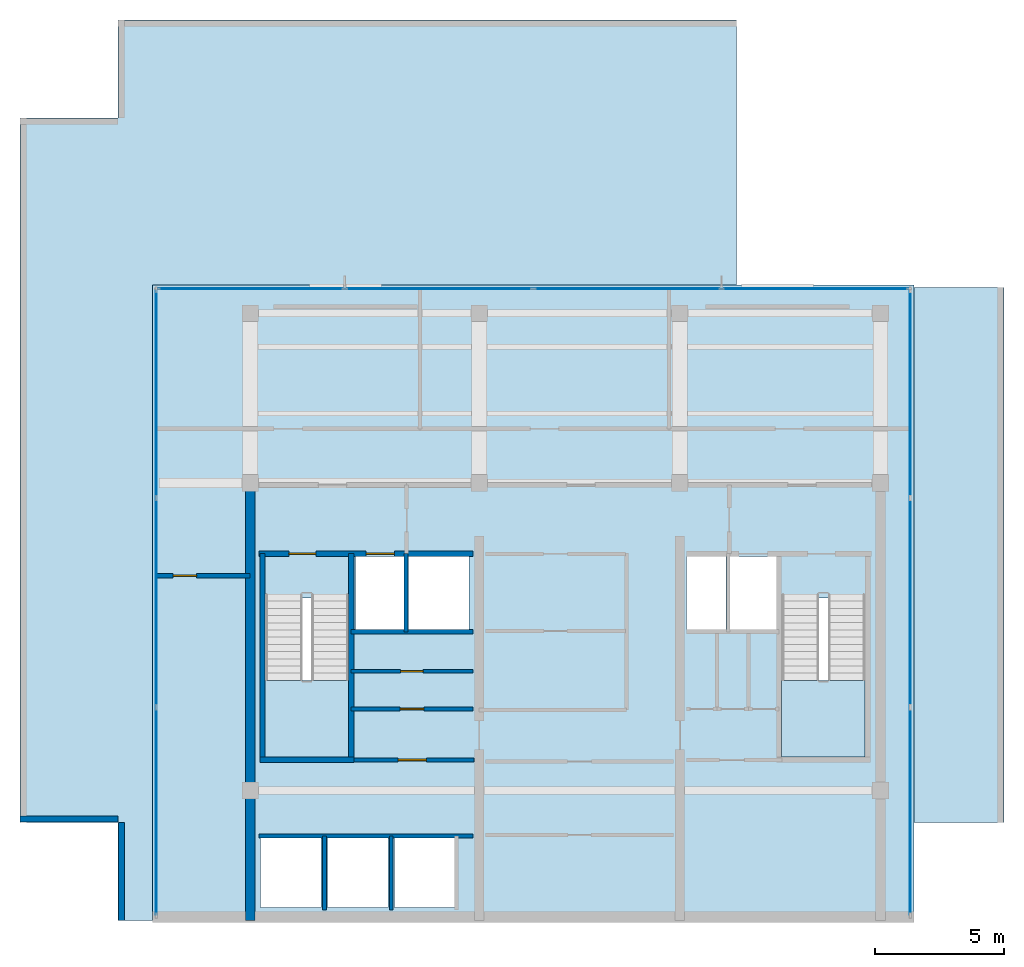
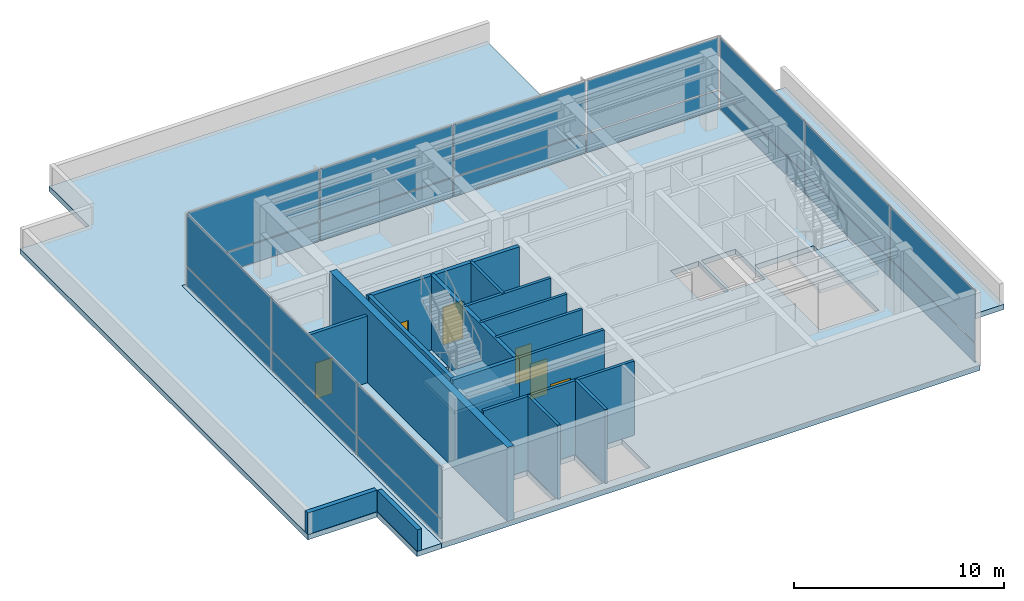
# One storey, part 2 of 6: 20 plates, 16 walls, 6 doors, 5 slabs, 6 openings, 5 elements without a shape of their own.
"""IFC4 building model written with IfcOpenShell, lengths in metres."""

from ifc_helpers import new_model, si_unit, direction, frame, frame_2d, origin, origin_2d, place, context, subcontext, project, spatial, polyline, rectangle, outline, extrude, material, layer, layer_set, type_object, element, fill, aggregate, save


model = new_model("IFC4")

# Units and contexts
model_context = context("Model", 3, precision=1e-05, world=origin(), true_north=direction((0.0, 1.0)))
body_context = subcontext(model_context, "Body", "Model", "MODEL_VIEW")
ifc_project = project(units=[si_unit("LENGTHUNIT", "METRE"), si_unit("AREAUNIT", "SQUARE_METRE"), si_unit("VOLUMEUNIT", "CUBIC_METRE"), si_unit("PLANEANGLEUNIT", "RADIAN"), si_unit("MASSUNIT", "GRAM", prefix="KILO")], contexts=[model_context])

# Site, building, storey
site_placement = place(None, origin())
site = spatial("IfcSite", under=ifc_project, at=site_placement, CompositionType="ELEMENT")
building_placement = place(site_placement, origin())
building = spatial("IfcBuilding", under=site, at=building_placement, Name="Qalmaran Belvedere Hotel", CompositionType="ELEMENT")
storey_placement = place(building_placement, frame((0.0, 0.0, 298.699951171875)))
storey = spatial("IfcBuildingStorey", under=building, at=storey_placement, Name="C01", CompositionType="ELEMENT", Elevation=298.699951171875)

# Curtain wall, plates
ifc_material_1 = material(Name="Anodised Bronze Aluminium", Category="aluminium")
ifc_layer_1 = layer(ifc_material_1, 0.205078125, Name="Anodised Bronze Aluminium")
ifc_layer_set_1 = layer_set([ifc_layer_1], Name="Anodised Bronze Aluminium")
curtain_wall_type = type_object("IfcCurtainWallType", Name="CW7-CROWN-BELVEDERE", PredefinedType="NOTDEFINED", material=ifc_layer_set_1)
curtain_wall_1_placement = place(storey_placement, origin())
curtain_wall_1 = element("IfcCurtainWall", 1, at=curtain_wall_1_placement, inside=storey, type_object=curtain_wall_type, Name="C01 Curtain Wall CW7", PredefinedType="NOTDEFINED")
ifc_material_2 = material(Name="Anodised Bronze Spandrel Panel")
ifc_layer_2 = layer(ifc_material_2, 0.035888671875, Name="Anodised Bronze Spandrel Panel")
ifc_layer_set_2 = layer_set([ifc_layer_2], Name="Anodised Bronze Spandrel Panel")
plate_type_1 = type_object("IfcPlateType", Name="CWP-SPANDREL-36", PredefinedType="CURTAIN_PANEL", material=ifc_layer_set_2)
plate_1_placement = place(storey_placement, frame((42.268798828125, 28.050048828125, 0.070068359375), z_axis=(0.0, 0.0, 1.0), x_axis=(-1.0, 0.0, 0.0)))
plate_1 = element("IfcPlate", 2, at=plate_1_placement, type_object=plate_type_1, Name="CW7 panel 1.1", PredefinedType="CURTAIN_PANEL", context=body_context, shape_type="SweptSolid", body=[
    extrude(rectangle(XDim=7.21240234375, YDim=0.035888671875, at=origin_2d()), origin(), (0.0, 0.0, 1.0), 1.09912109375),
])
plate_2_placement = place(storey_placement, frame((34.96240234375, 28.050048828125, 0.070068359375), z_axis=(0.0, 0.0, 1.0), x_axis=(-1.0, 0.0, 0.0)))
plate_2 = element("IfcPlate", 3, at=plate_2_placement, type_object=plate_type_1, Name="CW7 panel 2.1", PredefinedType="CURTAIN_PANEL", context=body_context, shape_type="SweptSolid", body=[
    extrude(rectangle(XDim=7.25, YDim=0.035888671875, at=origin_2d()), origin(), (0.0, 0.0, 1.0), 1.09912109375),
])
plate_3_placement = place(storey_placement, frame((27.637451171875, 28.050048828125, 0.070068359375), z_axis=(0.0, 0.0, 1.0), x_axis=(-1.0, 0.0, 0.0)))
plate_3 = element("IfcPlate", 4, at=plate_3_placement, type_object=plate_type_1, Name="CW7 panel 3.1", PredefinedType="CURTAIN_PANEL", context=body_context, shape_type="SweptSolid", body=[
    extrude(rectangle(XDim=7.25, YDim=0.035888671875, at=origin_2d()), origin(), (0.0, 0.0, 1.0), 1.09912109375),
])
plate_4_placement = place(storey_placement, frame((20.331298828125, 28.050048828125, 0.070068359375), z_axis=(0.0, 0.0, 1.0), x_axis=(-1.0, 0.0, 0.0)))
plate_4 = element("IfcPlate", 5, at=plate_4_placement, type_object=plate_type_1, Name="CW7 panel 4.1", PredefinedType="CURTAIN_PANEL", context=body_context, shape_type="SweptSolid", body=[
    extrude(rectangle(XDim=7.21240234375, YDim=0.035888671875, at=origin_2d()), origin(), (0.0, 0.0, 1.0), 1.09912109375),
])

curtain_wall_2_placement = place(storey_placement, origin())
curtain_wall_2 = element("IfcCurtainWall", 6, at=curtain_wall_2_placement, inside=storey, type_object=curtain_wall_type, Name="C01 Curtain Wall CW7", PredefinedType="NOTDEFINED")
plate_5_placement = place(storey_placement, frame((16.64990234375, 23.964599609375, 0.070068359375), z_axis=(0.0, 0.0, 1.0), x_axis=(0.0, -1.0, 0.0)))
plate_5 = element("IfcPlate", 7, at=plate_5_placement, type_object=plate_type_1, Name="CW7 panel 1.1", PredefinedType="CURTAIN_PANEL", context=body_context, shape_type="SweptSolid", body=[
    extrude(rectangle(XDim=8.020751953125, YDim=0.035888671875, at=origin_2d()), origin(), (0.0, 0.0, 1.0), 1.09912109375),
])
plate_6_placement = place(storey_placement, frame((16.64990234375, 15.85009765625, 0.070068359375), z_axis=(0.0, 0.0, 1.0), x_axis=(0.0, -1.0, 0.0)))
plate_6 = element("IfcPlate", 8, at=plate_6_placement, type_object=plate_type_1, Name="CW7 panel 2.1", PredefinedType="CURTAIN_PANEL", context=body_context, shape_type="SweptSolid", body=[
    extrude(rectangle(XDim=8.058349609375, YDim=0.035888671875, at=origin_2d()), origin(), (0.0, 0.0, 1.0), 1.09912109375),
])
plate_7_placement = place(storey_placement, frame((16.64990234375, 7.7353515625, 0.070068359375), z_axis=(0.0, 0.0, 1.0), x_axis=(0.0, -1.0, 0.0)))
plate_7 = element("IfcPlate", 9, at=plate_7_placement, type_object=plate_type_1, Name="CW7 panel 3.1", PredefinedType="CURTAIN_PANEL", context=body_context, shape_type="SweptSolid", body=[
    extrude(rectangle(XDim=8.020751953125, YDim=0.035888671875, at=origin_2d()), origin(), (0.0, 0.0, 1.0), 1.09912109375),
])

curtain_wall_3_placement = place(storey_placement, origin())
curtain_wall_3 = element("IfcCurtainWall", 10, at=curtain_wall_3_placement, inside=storey, type_object=curtain_wall_type, Name="C01 Curtain Wall CW7", PredefinedType="NOTDEFINED")
plate_8_placement = place(storey_placement, frame((45.949951171875, 7.7353515625, 0.070068359375), z_axis=(0.0, 0.0, 1.0), x_axis=(0.0, 1.0, 0.0)))
plate_8 = element("IfcPlate", 11, at=plate_8_placement, type_object=plate_type_1, Name="CW7 panel 1.1", PredefinedType="CURTAIN_PANEL", context=body_context, shape_type="SweptSolid", body=[
    extrude(rectangle(XDim=8.020751953125, YDim=0.035888671875, at=origin_2d()), origin(), (0.0, 0.0, 1.0), 1.09912109375),
])
plate_9_placement = place(storey_placement, frame((45.949951171875, 15.85009765625, 0.070068359375), z_axis=(0.0, 0.0, 1.0), x_axis=(0.0, 1.0, 0.0)))
plate_9 = element("IfcPlate", 12, at=plate_9_placement, type_object=plate_type_1, Name="CW7 panel 2.1", PredefinedType="CURTAIN_PANEL", context=body_context, shape_type="SweptSolid", body=[
    extrude(rectangle(XDim=8.058349609375, YDim=0.035888671875, at=origin_2d()), origin(), (0.0, 0.0, 1.0), 1.09912109375),
])
plate_10_placement = place(storey_placement, frame((45.949951171875, 23.964599609375, 0.070068359375), z_axis=(0.0, 0.0, 1.0), x_axis=(0.0, 1.0, 0.0)))
plate_10 = element("IfcPlate", 13, at=plate_10_placement, type_object=plate_type_1, Name="CW7 panel 3.1", PredefinedType="CURTAIN_PANEL", context=body_context, shape_type="SweptSolid", body=[
    extrude(rectangle(XDim=8.020751953125, YDim=0.035888671875, at=origin_2d()), origin(), (0.0, 0.0, 1.0), 1.09912109375),
])

# Plate
ifc_material_3 = material(Name="Solar-Control Double Glazing", Category="glass")
ifc_layer_3 = layer(ifc_material_3, 0.028076171875, Name="Solar-Control Double Glazing")
ifc_layer_set_3 = layer_set([ifc_layer_3], Name="Solar-Control Double Glazing")
plate_type_2 = type_object("IfcPlateType", Name="CWP-VISION-28", PredefinedType="CURTAIN_PANEL", material=ifc_layer_set_3)
plate_11_placement = place(storey_placement, frame((42.268798828125, 28.050048828125, 1.2392578125), z_axis=(0.0, 0.0, 1.0), x_axis=(-1.0, 0.0, 0.0)))
plate_11 = element("IfcPlate", 14, at=plate_11_placement, type_object=plate_type_2, Name="CW7 panel 1.2", PredefinedType="CURTAIN_PANEL", context=body_context, shape_type="SweptSolid", body=[
    extrude(rectangle(XDim=7.21240234375, YDim=0.028076171875, at=origin_2d()), origin(), (0.0, 0.0, 1.0), 2.990966796875),
])

plate_12_placement = place(storey_placement, frame((34.96240234375, 28.050048828125, 1.2392578125), z_axis=(0.0, 0.0, 1.0), x_axis=(-1.0, 0.0, 0.0)))
plate_12 = element("IfcPlate", 15, at=plate_12_placement, type_object=plate_type_2, Name="CW7 panel 2.2", PredefinedType="CURTAIN_PANEL", context=body_context, shape_type="SweptSolid", body=[
    extrude(rectangle(XDim=7.25, YDim=0.028076171875, at=origin_2d()), origin(), (0.0, 0.0, 1.0), 2.990966796875),
])

plate_13_placement = place(storey_placement, frame((27.637451171875, 28.050048828125, 1.2392578125), z_axis=(0.0, 0.0, 1.0), x_axis=(-1.0, 0.0, 0.0)))
plate_13 = element("IfcPlate", 16, at=plate_13_placement, type_object=plate_type_2, Name="CW7 panel 3.2", PredefinedType="CURTAIN_PANEL", context=body_context, shape_type="SweptSolid", body=[
    extrude(rectangle(XDim=7.25, YDim=0.028076171875, at=origin_2d()), origin(), (0.0, 0.0, 1.0), 2.990966796875),
])

plate_14_placement = place(storey_placement, frame((20.331298828125, 28.050048828125, 1.2392578125), z_axis=(0.0, 0.0, 1.0), x_axis=(-1.0, 0.0, 0.0)))
plate_14 = element("IfcPlate", 17, at=plate_14_placement, type_object=plate_type_2, Name="CW7 panel 4.2", PredefinedType="CURTAIN_PANEL", context=body_context, shape_type="SweptSolid", body=[
    extrude(rectangle(XDim=7.21240234375, YDim=0.028076171875, at=origin_2d()), origin(), (0.0, 0.0, 1.0), 2.990966796875),
])

aggregate(curtain_wall_1, [plate_1, plate_11, plate_2, plate_12, plate_3, plate_13, plate_4, plate_14])

plate_15_placement = place(storey_placement, frame((16.64990234375, 23.964599609375, 1.2392578125), z_axis=(0.0, 0.0, 1.0), x_axis=(0.0, -1.0, 0.0)))
plate_15 = element("IfcPlate", 18, at=plate_15_placement, type_object=plate_type_2, Name="CW7 panel 1.2", PredefinedType="CURTAIN_PANEL", context=body_context, shape_type="SweptSolid", body=[
    extrude(rectangle(XDim=8.020751953125, YDim=0.028076171875, at=origin_2d()), origin(), (0.0, 0.0, 1.0), 2.990966796875),
])

plate_16_placement = place(storey_placement, frame((16.64990234375, 15.85009765625, 1.2392578125), z_axis=(0.0, 0.0, 1.0), x_axis=(0.0, -1.0, 0.0)))
plate_16 = element("IfcPlate", 19, at=plate_16_placement, type_object=plate_type_2, Name="CW7 panel 2.2", PredefinedType="CURTAIN_PANEL", context=body_context, shape_type="SweptSolid", body=[
    extrude(rectangle(XDim=8.058349609375, YDim=0.028076171875, at=origin_2d()), origin(), (0.0, 0.0, 1.0), 2.990966796875),
])

plate_17_placement = place(storey_placement, frame((16.64990234375, 7.7353515625, 1.2392578125), z_axis=(0.0, 0.0, 1.0), x_axis=(0.0, -1.0, 0.0)))
plate_17 = element("IfcPlate", 20, at=plate_17_placement, type_object=plate_type_2, Name="CW7 panel 3.2", PredefinedType="CURTAIN_PANEL", context=body_context, shape_type="SweptSolid", body=[
    extrude(rectangle(XDim=8.020751953125, YDim=0.028076171875, at=origin_2d()), origin(), (0.0, 0.0, 1.0), 2.990966796875),
])

aggregate(curtain_wall_2, [plate_5, plate_15, plate_6, plate_16, plate_7, plate_17])

plate_18_placement = place(storey_placement, frame((45.949951171875, 7.7353515625, 1.2392578125), z_axis=(0.0, 0.0, 1.0), x_axis=(0.0, 1.0, 0.0)))
plate_18 = element("IfcPlate", 21, at=plate_18_placement, type_object=plate_type_2, Name="CW7 panel 1.2", PredefinedType="CURTAIN_PANEL", context=body_context, shape_type="SweptSolid", body=[
    extrude(rectangle(XDim=8.020751953125, YDim=0.028076171875, at=origin_2d()), origin(), (0.0, 0.0, 1.0), 2.990966796875),
])

plate_19_placement = place(storey_placement, frame((45.949951171875, 15.85009765625, 1.2392578125), z_axis=(0.0, 0.0, 1.0), x_axis=(0.0, 1.0, 0.0)))
plate_19 = element("IfcPlate", 22, at=plate_19_placement, type_object=plate_type_2, Name="CW7 panel 2.2", PredefinedType="CURTAIN_PANEL", context=body_context, shape_type="SweptSolid", body=[
    extrude(rectangle(XDim=8.058349609375, YDim=0.028076171875, at=origin_2d()), origin(), (0.0, 0.0, 1.0), 2.990966796875),
])

plate_20_placement = place(storey_placement, frame((45.949951171875, 23.964599609375, 1.2392578125), z_axis=(0.0, 0.0, 1.0), x_axis=(0.0, 1.0, 0.0)))
plate_20 = element("IfcPlate", 23, at=plate_20_placement, type_object=plate_type_2, Name="CW7 panel 3.2", PredefinedType="CURTAIN_PANEL", context=body_context, shape_type="SweptSolid", body=[
    extrude(rectangle(XDim=8.020751953125, YDim=0.028076171875, at=origin_2d()), origin(), (0.0, 0.0, 1.0), 2.990966796875),
])

aggregate(curtain_wall_3, [plate_8, plate_18, plate_9, plate_19, plate_10, plate_20])

# Slabs
ifc_material_4 = material(Name="Concrete C40/50", Category="concrete")
ifc_layer_4 = layer(ifc_material_4, 0.300048828125, Name="Concrete C40/50")
ifc_layer_set_4 = layer_set([ifc_layer_4], Name="Concrete C40/50")
slab_type_1 = type_object("IfcSlabType", Name="SLB-CRN-300", PredefinedType="FLOOR", material=ifc_layer_set_4)
slab_1_placement = place(storey_placement, frame((0.0, 0.0, -0.300048828125)))
element("IfcSlab", 24, at=slab_1_placement, inside=storey, type_object=slab_type_1, Name="C01 Structural Floor Slab", PredefinedType="FLOOR", context=body_context, shape_type="SweptSolid", body=[
    extrude(outline(polyline([(16.5, 3.5), (46.10009765625, 3.5), (46.10009765625, 28.199951171875), (16.5, 28.199951171875), (16.5, 3.5)]), holes=[polyline([(20.8798828125, 9.85009765625), (24.1201171875, 9.85009765625), (24.1201171875, 16.0400390625), (20.8798828125, 16.0400390625), (20.8798828125, 9.85009765625)]), polyline([(40.9599609375, 9.85009765625), (44.199951171875, 9.85009765625), (44.199951171875, 16.0400390625), (40.9599609375, 16.0400390625), (40.9599609375, 9.85009765625)]), polyline([(20.699951171875, 4.0), (23.050048828125, 4.0), (23.050048828125, 6.699951171875), (20.699951171875, 6.699951171875), (20.699951171875, 4.0)]), polyline([(23.300048828125, 4.0), (25.64990234375, 4.0), (25.64990234375, 6.699951171875), (23.300048828125, 6.699951171875), (23.300048828125, 4.0)]), polyline([(25.89990234375, 4.0), (28.25, 4.0), (28.25, 6.699951171875), (25.89990234375, 6.699951171875), (25.89990234375, 4.0)]), polyline([(24.39990234375, 14.800048828125), (26.300048828125, 14.800048828125), (26.300048828125, 17.64990234375), (24.39990234375, 17.64990234375), (24.39990234375, 14.800048828125)]), polyline([(38.949951171875, 14.800048828125), (40.820068359375, 14.800048828125), (40.820068359375, 17.64990234375), (38.949951171875, 17.64990234375), (38.949951171875, 14.800048828125)]), polyline([(26.449951171875, 14.800048828125), (28.800048828125, 14.800048828125), (28.800048828125, 17.64990234375), (26.449951171875, 17.64990234375), (26.449951171875, 14.800048828125)]), polyline([(37.25, 14.800048828125), (38.800048828125, 14.800048828125), (38.800048828125, 17.64990234375), (37.25, 17.64990234375), (37.25, 14.800048828125)])]), origin(), (0.0, 0.0, 1.0), 0.300048828125),
])
ifc_layer_5 = layer(ifc_material_4, 0.300048828125, Name="Concrete C40/50")
ifc_layer_set_5 = layer_set([ifc_layer_5], Name="Concrete C40/50")
slab_type_2 = type_object("IfcSlabType", Name="SLB-CROOF-310", PredefinedType="ROOF", material=ifc_layer_set_5)
slab_2_placement = place(storey_placement, frame((0.0, 0.0, -0.300048828125)))
element("IfcSlab", 25, at=slab_2_placement, inside=storey, type_object=slab_type_2, Name="C01 Stepped Roof Cap 1", PredefinedType="ROOF", context=body_context, shape_type="SweptSolid", body=[
    extrude(outline(polyline([(15.14990234375, 3.5), (15.14990234375, 7.300048828125), (11.35009765625, 7.300048828125), (11.35009765625, 34.699951171875), (15.14990234375, 34.699951171875), (15.14990234375, 38.5), (39.199951171875, 38.5), (39.199951171875, 28.199951171875), (16.5, 28.199951171875), (16.5, 3.5), (15.14990234375, 3.5)])), origin(), (0.0, 0.0, 1.0), 0.300048828125),
])
slab_3_placement = place(storey_placement, frame((0.0, 0.0, -0.300048828125)))
element("IfcSlab", 26, at=slab_3_placement, inside=storey, type_object=slab_type_2, Name="C01 Stepped Roof Cap 2", PredefinedType="ROOF", context=body_context, shape_type="SweptSolid", body=[
    extrude(outline(polyline([(49.60009765625, 28.10009765625), (49.60009765625, 7.300048828125), (46.10009765625, 7.300048828125), (46.10009765625, 28.10009765625), (49.60009765625, 28.10009765625)])), origin(), (0.0, 0.0, 1.0), 0.300048828125),
])

# Stair, slab
stair_type_1 = type_object("IfcStairType", Name="STR-ST-1-1450-R1769", PredefinedType="HALF_TURN_STAIR", material=ifc_material_4)
stair_1_placement = place(storey_placement, origin())
stair_1 = element("IfcStair", 27, at=stair_1_placement, inside=storey, type_object=stair_type_1, Name="C01 West Core Exit Stair ST-1", PredefinedType="HALF_TURN_STAIR")
ifc_layer_6 = layer(ifc_material_4, 0.199951171875, Name="Concrete C40/50")
ifc_layer_set_6 = layer_set([ifc_layer_6], Name="Concrete C40/50")
slab_type_3 = type_object("IfcSlabType", Name="SLB-STAIR-LANDING-200", PredefinedType="LANDING", material=ifc_layer_set_6)
slab_4_placement = place(storey_placement, frame((0.0, 0.0, 2.10009765625)))
slab_4 = element("IfcSlab", 28, at=slab_4_placement, type_object=slab_type_3, Name="ST-1 landing 1", PredefinedType="LANDING", context=body_context, shape_type="SweptSolid", body=[
    extrude(outline(polyline([(20.8798828125, 12.830078125), (20.8798828125, 9.85009765625), (24.1201171875, 9.85009765625), (24.1201171875, 12.830078125), (20.8798828125, 12.830078125)])), origin(), (0.0, 0.0, 1.0), 0.199951171875),
])
aggregate(stair_1, [slab_4])

stair_type_2 = type_object("IfcStairType", Name="STR-ST-2-1450-R1769", PredefinedType="HALF_TURN_STAIR", material=ifc_material_4)
stair_2_placement = place(storey_placement, origin())
stair_2 = element("IfcStair", 29, at=stair_2_placement, inside=storey, type_object=stair_type_2, Name="C01 East Core Exit Stair ST-2", PredefinedType="HALF_TURN_STAIR")
slab_5_placement = place(storey_placement, frame((0.0, 0.0, 2.10009765625)))
slab_5 = element("IfcSlab", 30, at=slab_5_placement, type_object=slab_type_3, Name="ST-2 landing 1", PredefinedType="LANDING", context=body_context, shape_type="SweptSolid", body=[
    extrude(outline(polyline([(40.9599609375, 12.830078125), (40.9599609375, 9.85009765625), (44.199951171875, 9.85009765625), (44.199951171875, 12.830078125), (40.9599609375, 12.830078125)])), origin(), (0.0, 0.0, 1.0), 0.199951171875),
])
aggregate(stair_2, [slab_5])

# Walls
ifc_material_5 = material(Name="Concrete C50/60", Category="concrete")
ifc_layer_7 = layer(ifc_material_5, 0.3798828125, Name="Concrete C50/60")
ifc_layer_set_7 = layer_set([ifc_layer_7], Name="Concrete C50/60")
wall_type_1 = type_object("IfcWallType", Name="WL-CORE-380-C50", PredefinedType="SHEAR", material=ifc_layer_set_7)
wall_1_placement = place(storey_placement, frame((20.300048828125, 3.5, 0.0), z_axis=(0.0, 0.0, 1.0), x_axis=(0.0, 1.0, 0.0)))
element("IfcWall", 31, at=wall_1_placement, inside=storey, type_object=wall_type_1, Name="C01 West Core Shear Wall", PredefinedType="SHEAR", context=body_context, shape_type="SweptSolid", body=[
    extrude(rectangle(XDim=16.89990234375, YDim=0.3798828125, at=frame_2d((8.449951171875, 0.0))), origin(), (0.0, 0.0, 1.0), 4.300048828125),
])
ifc_material_6 = material(Name="Gypsum Stud Partition")
ifc_layer_8 = layer(ifc_material_6, 0.14990234375, Name="Gypsum Stud Partition")
ifc_layer_set_8 = layer_set([ifc_layer_8], Name="Gypsum Stud Partition")
wall_type_2 = type_object("IfcWallType", Name="WL-INT-150-EI120", PredefinedType="PARTITIONING", material=ifc_layer_set_8)
wall_2_placement = place(storey_placement, frame((26.360107421875, 14.719970703125, 0.0), z_axis=(0.0, 0.0, 1.0), x_axis=(0.0, 1.0, 0.0)))
element("IfcWall", 32, at=wall_2_placement, inside=storey, type_object=wall_type_2, Name="C01 Partition WL-FF1M-C01", PredefinedType="PARTITIONING", context=body_context, shape_type="SweptSolid", body=[
    extrude(rectangle(XDim=3.0400390625, YDim=0.14990234375, at=frame_2d((1.52001953125, 0.0))), origin(), (0.0, 0.0, 1.0), 4.300048828125),
])
for number, where, z_axis, x_axis, name in (
    (33, (23.179931640625, 3.89990234375, 0.0), (0.0, 0.0, 1.0), (0.0, 1.0, 0.0), "C01 Partition WL-POM1-C01"),
    (34, (25.780029296875, 3.89990234375, 0.0), (0.0, 0.0, 1.0), (0.0, 1.0, 0.0), "C01 Partition WL-POM2-C01"),
):
    element("IfcWall", number, at=place(storey_placement, frame(where, z_axis=z_axis, x_axis=x_axis)), inside=storey, type_object=wall_type_2, Name=name, PredefinedType="PARTITIONING", context=body_context, shape_type="SweptSolid", body=[
        extrude(rectangle(XDim=2.880126953125, YDim=0.14990234375, at=frame_2d((1.43994140625, 0.0))), origin(), (0.0, 0.0, 1.0), 4.300048828125),
    ])

# Wall, opening, door
ifc_layer_9 = layer(ifc_material_6, 0.14990234375, Name="Gypsum Stud Partition")
ifc_layer_set_9 = layer_set([ifc_layer_9], Name="Gypsum Stud Partition")
wall_type_3 = type_object("IfcWallType", Name="WL-INT-150-EI60", PredefinedType="PARTITIONING", material=ifc_layer_set_9)
wall_3_placement = place(storey_placement, frame((24.219970703125, 13.18505859375, 0.0), z_axis=(0.0, 0.0, 1.0), x_axis=(1.0, 0.0, 0.0)))
wall_3 = element("IfcWall", 35, at=wall_3_placement, inside=storey, type_object=wall_type_3, Name="C01 Partition WL-C01-KWHM", PredefinedType="PARTITIONING", context=body_context, shape_type="SweptSolid", body=[
    extrude(rectangle(XDim=4.72998046875, YDim=0.14990234375, at=frame_2d((2.364990234375, 0.0))), origin(), (0.0, 0.0, 1.0), 4.300048828125),
])
opening_1_placement = place(wall_3_placement, frame((1.925048828125, 0.0, 0.0)))
opening_1 = element("IfcOpeningElement", 36, at=opening_1_placement, cuts=wall_3, Name="Opening FD60B", PredefinedType="OPENING", context=body_context, shape_type="SweptSolid", body=[
    extrude(rectangle(XDim=0.8798828125, YDim=2.080078125, at=frame_2d((0.43994140625, 1.0400390625))), frame((0.0, 0.0849609375, 0.0), z_axis=(0.0, -1.0, 0.0), x_axis=(1.0, 0.0, 0.0)), (0.0, 0.0, 1.0), 0.169921875),
])
ifc_material_7 = material(Name="Steel S355JR", Category="steel")
door_type_1 = type_object("IfcDoorType", Name="DR-FD60B-880X2080", OperationType="NOTDEFINED", PredefinedType="DOOR", material=ifc_material_7)
door_1_placement = place(opening_1_placement, origin())
door_1 = element("IfcDoor", 37, at=door_1_placement, inside=storey, type_object=door_type_1, Name="C01 Electrical Switchgear Plant Room Door", OperationType="SINGLE_SWING_RIGHT", OverallHeight=2.080078125, OverallWidth=0.8798828125, PredefinedType="DOOR", context=body_context, shape_type="SweptSolid", body=[
    extrude(rectangle(XDim=0.8798828125, YDim=2.080078125, at=frame_2d((0.43994140625, 1.0400390625))), frame((0.0, 0.02490234375, 0.0), z_axis=(0.0, -1.0, 0.0), x_axis=(1.0, 0.0, 0.0)), (0.0, 0.0, 1.0), 0.050048828125),
])
fill(opening_1, door_1)

# Walls
ifc_layer_10 = layer(ifc_material_6, 0.159912109375, Name="Gypsum Stud Partition")
ifc_layer_set_10 = layer_set([ifc_layer_10], Name="Gypsum Stud Partition")
wall_type_4 = type_object("IfcWallType", Name="WL-INT-160-EI120", PredefinedType="PARTITIONING", material=ifc_layer_set_10)
wall_4_placement = place(storey_placement, frame((24.219970703125, 14.719970703125, 0.0), z_axis=(0.0, 0.0, 1.0), x_axis=(1.0, 0.0, 0.0)))
element("IfcWall", 38, at=wall_4_placement, inside=storey, type_object=wall_type_4, Name="C01 Partition WL-FF1S-C01", PredefinedType="PARTITIONING", context=body_context, shape_type="SweptSolid", body=[
    extrude(rectangle(XDim=4.72998046875, YDim=0.159912109375, at=frame_2d((2.364990234375, 0.0))), origin(), (0.0, 0.0, 1.0), 4.300048828125),
])
wall_5_placement = place(storey_placement, frame((20.64990234375, 6.780029296875, 0.0), z_axis=(0.0, 0.0, 1.0), x_axis=(1.0, 0.0, 0.0)))
element("IfcWall", 39, at=wall_5_placement, inside=storey, type_object=wall_type_4, Name="C01 Partition WL-POS-C01", PredefinedType="PARTITIONING", context=body_context, shape_type="SweptSolid", body=[
    extrude(rectangle(XDim=8.300048828125, YDim=0.159912109375, at=frame_2d((4.14990234375, 0.0))), origin(), (0.0, 0.0, 1.0), 4.300048828125),
])

# Wall, opening, door
wall_6_placement = place(storey_placement, frame((24.199951171875, 9.739990234375, 0.0), z_axis=(0.0, 0.0, 1.0), x_axis=(1.0, 0.0, 0.0)))
wall_6 = element("IfcWall", 40, at=wall_6_placement, inside=storey, type_object=wall_type_4, Name="C01 Partition WL-PON-C01", PredefinedType="PARTITIONING", context=body_context, shape_type="SweptSolid", body=[
    extrude(rectangle(XDim=4.800048828125, YDim=0.159912109375, at=frame_2d((2.39990234375, 0.0))), origin(), (0.0, 0.0, 1.0), 4.300048828125),
])
opening_2_placement = place(wall_6_placement, frame((1.85009765625, 0.0, 0.0)))
opening_2 = element("IfcOpeningElement", 41, at=opening_2_placement, cuts=wall_6, Name="Opening FD90", PredefinedType="OPENING", context=body_context, shape_type="SweptSolid", body=[
    extrude(rectangle(XDim=1.10009765625, YDim=2.14990234375, at=frame_2d((0.550048828125, 1.074951171875))), frame((0.0, 0.08984375, 0.0), z_axis=(0.0, -1.0, 0.0), x_axis=(1.0, 0.0, 0.0)), (0.0, 0.0, 1.0), 0.179931640625),
])
door_type_2 = type_object("IfcDoorType", Name="DR-FD90-1100X2150", OperationType="NOTDEFINED", PredefinedType="DOOR", material=ifc_material_7)
door_2_placement = place(opening_2_placement, origin())
door_2 = element("IfcDoor", 42, at=door_2_placement, inside=storey, type_object=door_type_2, Name="C01 Shuttle Lobby Passage Door", OperationType="SINGLE_SWING_RIGHT", OverallHeight=2.14990234375, OverallWidth=1.10009765625, PredefinedType="DOOR", context=body_context, shape_type="SweptSolid", body=[
    extrude(rectangle(XDim=1.10009765625, YDim=2.14990234375, at=frame_2d((0.550048828125, 1.074951171875))), frame((0.0, 0.02490234375, 0.0), z_axis=(0.0, -1.0, 0.0), x_axis=(1.0, 0.0, 0.0)), (0.0, 0.0, 1.0), 0.050048828125),
])
fill(opening_2, door_2)

ifc_layer_11 = layer(ifc_material_6, 0.159912109375, Name="Gypsum Stud Partition")
ifc_layer_set_11 = layer_set([ifc_layer_11], Name="Gypsum Stud Partition")
wall_type_5 = type_object("IfcWallType", Name="WL-INT-160-EI60", PredefinedType="PARTITIONING", material=ifc_layer_set_11)
wall_7_placement = place(storey_placement, frame((24.219970703125, 11.719970703125, 0.0), z_axis=(0.0, 0.0, 1.0), x_axis=(1.0, 0.0, 0.0)))
wall_7 = element("IfcWall", 43, at=wall_7_placement, inside=storey, type_object=wall_type_5, Name="C01 Partition WL-C01-KWE1", PredefinedType="PARTITIONING", context=body_context, shape_type="SweptSolid", body=[
    extrude(rectangle(XDim=4.72998046875, YDim=0.159912109375, at=frame_2d((2.364990234375, 0.0))), origin(), (0.0, 0.0, 1.0), 4.300048828125),
])
opening_3_placement = place(wall_7_placement, frame((1.905029296875, 0.0, 0.0)))
opening_3 = element("IfcOpeningElement", 44, at=opening_3_placement, cuts=wall_7, Name="Opening FD60S1", PredefinedType="OPENING", context=body_context, shape_type="SweptSolid", body=[
    extrude(rectangle(XDim=0.919921875, YDim=2.080078125, at=frame_2d((0.4599609375, 1.0400390625))), frame((0.0, 0.08984375, 0.0), z_axis=(0.0, -1.0, 0.0), x_axis=(1.0, 0.0, 0.0)), (0.0, 0.0, 1.0), 0.179931640625),
])
ifc_material_8 = material(Name="Engineered Oak Veneer")
door_type_3 = type_object("IfcDoorType", Name="DR-FD60S-920X2080", OperationType="NOTDEFINED", PredefinedType="DOOR", material=ifc_material_8)
door_3_placement = place(opening_3_placement, origin())
door_3 = element("IfcDoor", 45, at=door_3_placement, inside=storey, type_object=door_type_3, Name="C01 Booster Valve Plant Room Door", OperationType="SINGLE_SWING_LEFT", OverallHeight=2.080078125, OverallWidth=0.919921875, PredefinedType="DOOR", context=body_context, shape_type="SweptSolid", body=[
    extrude(rectangle(XDim=0.919921875, YDim=2.080078125, at=frame_2d((0.4599609375, 1.0400390625))), frame((0.0, 0.02490234375, 0.0), z_axis=(0.0, -1.0, 0.0), x_axis=(1.0, 0.0, 0.0)), (0.0, 0.0, 1.0), 0.050048828125),
])
fill(opening_3, door_3)

ifc_layer_12 = layer(ifc_material_6, 0.179931640625, Name="Gypsum Stud Partition")
ifc_layer_set_12 = layer_set([ifc_layer_12], Name="Gypsum Stud Partition")
wall_type_6 = type_object("IfcWallType", Name="WL-INT-180-EI120", PredefinedType="PARTITIONING", material=ifc_layer_set_12)
wall_8_placement = place(storey_placement, frame((16.64990234375, 16.89990234375, 0.0), z_axis=(0.0, 0.0, 1.0), x_axis=(1.0, 0.0, 0.0)))
wall_8 = element("IfcWall", 46, at=wall_8_placement, inside=storey, type_object=wall_type_6, Name="C01 Partition WL-C01-CMW", PredefinedType="PARTITIONING", context=body_context, shape_type="SweptSolid", body=[
    extrude(rectangle(XDim=3.650146484375, YDim=0.179931640625, at=frame_2d((1.8251953125, 0.0))), origin(), (0.0, 0.0, 1.0), 3.885009765625),
])
opening_4_placement = place(wall_8_placement, frame((1.56982421875, 0.0, 0.0), z_axis=(0.0, 0.0, 1.0), x_axis=(-1.0, 0.0, 0.0)))
opening_4 = element("IfcOpeningElement", 47, at=opening_4_placement, cuts=wall_8, Name="Opening FD60S1", PredefinedType="OPENING", context=body_context, shape_type="SweptSolid", body=[
    extrude(rectangle(XDim=0.919921875, YDim=2.080078125, at=frame_2d((0.4599609375, 1.0400390625))), frame((0.0, 0.10009765625, 0.0), z_axis=(0.0, -1.0, 0.0), x_axis=(1.0, 0.0, 0.0)), (0.0, 0.0, 1.0), 0.199951171875),
])
door_4_placement = place(opening_4_placement, origin())
door_4 = element("IfcDoor", 48, at=door_4_placement, inside=storey, type_object=door_type_3, Name="C01 Machine Plant Door", OperationType="SINGLE_SWING_LEFT", OverallHeight=2.080078125, OverallWidth=0.919921875, PredefinedType="DOOR", context=body_context, shape_type="SweptSolid", body=[
    extrude(rectangle(XDim=0.919921875, YDim=2.080078125, at=frame_2d((0.4599609375, 1.0400390625))), frame((0.0, 0.02490234375, 0.0), z_axis=(0.0, -1.0, 0.0), x_axis=(1.0, 0.0, 0.0)), (0.0, 0.0, 1.0), 0.050048828125),
])
fill(opening_4, door_4)

# Walls
ifc_layer_13 = layer(ifc_material_4, 0.239990234375, Name="Concrete C40/50")
ifc_layer_set_13 = layer_set([ifc_layer_13], Name="Concrete C40/50")
wall_type_7 = type_object("IfcWallType", Name="WL-PARAPET-240", PredefinedType="PARAPET", material=ifc_layer_set_13)
wall_9_placement = place(storey_placement, frame((11.35009765625, 7.43994140625, 0.0), z_axis=(0.0, 0.0, 1.0), x_axis=(1.0, 0.0, 0.0)))
element("IfcWall", 49, at=wall_9_placement, inside=storey, type_object=wall_type_7, Name="C01 Roof Parapet 11", PredefinedType="PARAPET", context=body_context, shape_type="SweptSolid", body=[
    extrude(rectangle(XDim=3.7998046875, YDim=0.239990234375, at=frame_2d((1.89990234375, 0.0))), origin(), (0.0, 0.0, 1.0), 1.25),
])
wall_10_placement = place(storey_placement, frame((15.2900390625, 7.300048828125, 0.0), z_axis=(0.0, 0.0, 1.0), x_axis=(0.0, -1.0, 0.0)))
element("IfcWall", 50, at=wall_10_placement, inside=storey, type_object=wall_type_7, Name="C01 Roof Parapet 12", PredefinedType="PARAPET", context=body_context, shape_type="SweptSolid", body=[
    extrude(rectangle(XDim=3.800048828125, YDim=0.239990234375, at=frame_2d((1.89990234375, 0.0))), origin(), (0.0, 0.0, 1.0), 1.25),
])
ifc_layer_14 = layer(ifc_material_5, 0.2099609375, Name="Concrete C50/60")
ifc_layer_set_14 = layer_set([ifc_layer_14], Name="Concrete C50/60")
wall_type_8 = type_object("IfcWallType", Name="WL-STAIR-210-C50", PredefinedType="SHEAR", material=ifc_layer_set_14)
for number, where, z_axis, x_axis, name in (
    (51, (20.77490234375, 9.7451171875, 0.0), (0.0, 0.0, 1.0), (0.0, 1.0, 0.0), "C01 Stair ST-1 West Bearing Wall"),
    (52, (24.22509765625, 9.7451171875, 0.0), (0.0, 0.0, 1.0), (0.0, 1.0, 0.0), "C01 Stair ST-1 East Bearing Wall"),
):
    element("IfcWall", number, at=place(storey_placement, frame(where, z_axis=z_axis, x_axis=x_axis)), inside=storey, type_object=wall_type_8, Name=name, PredefinedType="SHEAR", context=body_context, shape_type="SweptSolid", body=[
        extrude(rectangle(XDim=8.009765625, YDim=0.2099609375, at=frame_2d((4.0048828125, 0.0))), origin(), (0.0, 0.0, 1.0), 4.300048828125),
    ])
wall_11_placement = place(storey_placement, frame((20.669921875, 9.7451171875, 0.0), z_axis=(0.0, 0.0, 1.0), x_axis=(1.0, 0.0, 0.0)))
element("IfcWall", 53, at=wall_11_placement, inside=storey, type_object=wall_type_8, Name="C01 Stair ST-1 South Bearing Wall", PredefinedType="SHEAR", context=body_context, shape_type="SweptSolid", body=[
    extrude(rectangle(XDim=3.66015625, YDim=0.2099609375, at=frame_2d((1.830078125, 0.0))), origin(), (0.0, 0.0, 1.0), 4.300048828125),
])

# Wall, openings, doors
wall_12_placement = place(storey_placement, frame((20.64990234375, 17.7548828125, 0.0), z_axis=(0.0, 0.0, 1.0), x_axis=(1.0, 0.0, 0.0)))
wall_12 = element("IfcWall", 54, at=wall_12_placement, inside=storey, type_object=wall_type_8, Name="C01 West Lobby and Stair ST-1 North Bearing Wall", PredefinedType="SHEAR", context=body_context, shape_type="SweptSolid", body=[
    extrude(rectangle(XDim=8.300048828125, YDim=0.2099609375, at=frame_2d((4.14990234375, 0.0))), origin(), (0.0, 0.0, 1.0), 4.300048828125),
])
opening_5_placement = place(wall_12_placement, frame((2.199951171875, 0.0, 0.0), z_axis=(0.0, 0.0, 1.0), x_axis=(-1.0, 0.0, 0.0)))
opening_5 = element("IfcOpeningElement", 55, at=opening_5_placement, cuts=wall_12, Name="Opening FD90S2", PredefinedType="OPENING", context=body_context, shape_type="SweptSolid", body=[
    extrude(rectangle(XDim=1.050048828125, YDim=2.14990234375, at=frame_2d((0.52490234375, 1.074951171875))), frame((0.0, 0.114990234375, 0.0), z_axis=(0.0, -1.0, 0.0), x_axis=(1.0, 0.0, 0.0)), (0.0, 0.0, 1.0), 0.22998046875),
])
opening_6_placement = place(wall_12_placement, frame((4.14990234375, 0.0, 0.0)))
opening_6 = element("IfcOpeningElement", 56, at=opening_6_placement, cuts=wall_12, Name="Opening LD-FF", PredefinedType="OPENING", context=body_context, shape_type="SweptSolid", body=[
    extrude(rectangle(XDim=1.10009765625, YDim=2.179931640625, at=frame_2d((0.550048828125, 1.08984375))), frame((0.0, 0.114990234375, 0.0), z_axis=(0.0, -1.0, 0.0), x_axis=(1.0, 0.0, 0.0)), (0.0, 0.0, 1.0), 0.22998046875),
])
door_type_4 = type_object("IfcDoorType", Name="DR-FD90S-1050X2150", OperationType="NOTDEFINED", PredefinedType="DOOR", material=ifc_material_7)
door_5_placement = place(opening_5_placement, origin())
door_5 = element("IfcDoor", 57, at=door_5_placement, inside=storey, type_object=door_type_4, Name="C01 Stair ST-1 Door", OperationType="SINGLE_SWING_RIGHT", OverallHeight=2.14990234375, OverallWidth=1.050048828125, PredefinedType="DOOR", context=body_context, shape_type="SweptSolid", body=[
    extrude(rectangle(XDim=1.050048828125, YDim=2.14990234375, at=frame_2d((0.52490234375, 1.074951171875))), frame((0.0, 0.02490234375, 0.0), z_axis=(0.0, -1.0, 0.0), x_axis=(1.0, 0.0, 0.0)), (0.0, 0.0, 1.0), 0.050048828125),
])
fill(opening_5, door_5)
ifc_material_9 = material(Name="Stainless Steel 1.4401", Category="steel")
door_type_5 = type_object("IfcDoorType", Name="DR-LIFT-FF-1100X2180", OperationType="DOUBLE_DOOR_SLIDING", PredefinedType="DOOR", material=ifc_material_9)
door_6_placement = place(opening_6_placement, origin())
door_6 = element("IfcDoor", 58, at=door_6_placement, inside=storey, type_object=door_type_5, Name="C01 FF1 Lift Landing Door", OperationType="DOUBLE_DOOR_SLIDING", OverallHeight=2.179931640625, OverallWidth=1.10009765625, PredefinedType="DOOR", context=body_context, shape_type="SweptSolid", body=[
    extrude(rectangle(XDim=1.10009765625, YDim=2.179931640625, at=frame_2d((0.550048828125, 1.08984375))), frame((0.0, 0.02490234375, 0.0), z_axis=(0.0, -1.0, 0.0), x_axis=(1.0, 0.0, 0.0)), (0.0, 0.0, 1.0), 0.050048828125),
])
fill(opening_6, door_6)

save(model, "model.ifc")
